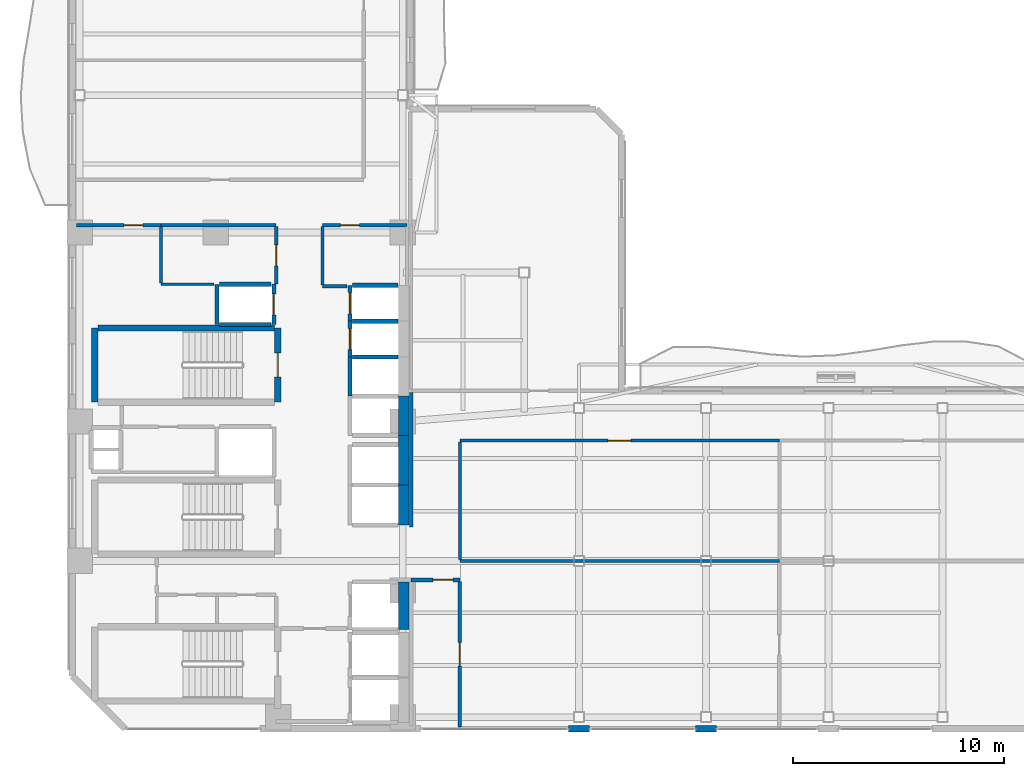
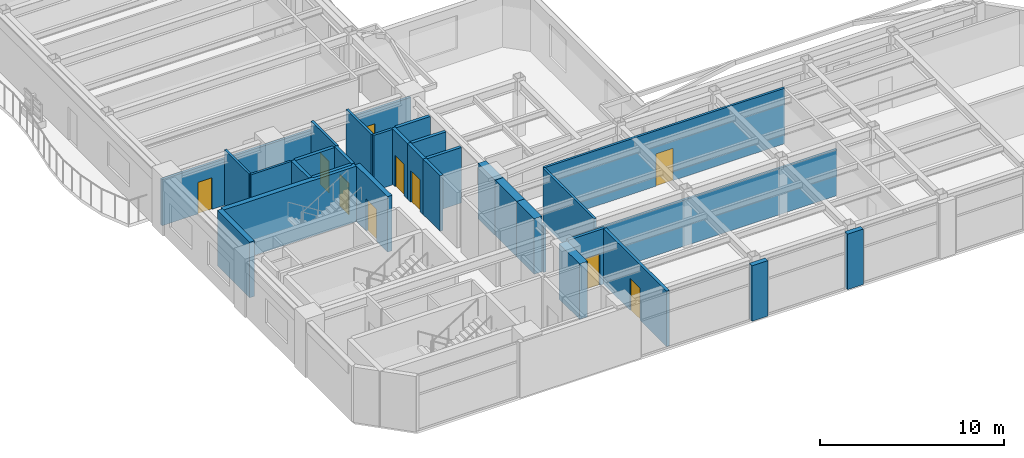
# One storey, part 10 of 15: 33 walls, 10 doors, 10 openings.
"""IFC4 building model written with IfcOpenShell, lengths in metres."""

from ifc_helpers import new_model, si_unit, direction, frame, frame_2d, origin, place, context, subcontext, project, spatial, rectangle, extrude, material, layer, layer_set, type_object, element, fill, save


model = new_model("IFC4")

# Units and contexts
model_context = context("Model", 3, precision=1e-05, world=origin(), true_north=direction((0.0, 1.0)))
body_context = subcontext(model_context, "Body", "Model", "MODEL_VIEW")
ifc_project = project(units=[si_unit("LENGTHUNIT", "METRE"), si_unit("AREAUNIT", "SQUARE_METRE"), si_unit("VOLUMEUNIT", "CUBIC_METRE"), si_unit("PLANEANGLEUNIT", "RADIAN"), si_unit("MASSUNIT", "GRAM", prefix="KILO")], contexts=[model_context])

# Site, building, storey
site_placement = place(None, origin())
site = spatial("IfcSite", under=ifc_project, at=site_placement, CompositionType="ELEMENT")
building_placement = place(site_placement, origin())
building = spatial("IfcBuilding", under=site, at=building_placement, Name="Mawjaban Terraces University", CompositionType="ELEMENT")
storey_placement = place(building_placement, frame((0.0, 0.0, 119.0)))
storey = spatial("IfcBuildingStorey", under=building, at=storey_placement, Name="L28", CompositionType="ELEMENT", Elevation=119.0)

# Wall, opening, door
ifc_material_1 = material(Name="Acoustic masonry blockwork", Category="masonry")
ifc_layer_1 = layer(ifc_material_1, 0.179931640625)
ifc_layer_set_1 = layer_set([ifc_layer_1], Name="Acoustic masonry blockwork")
wall_type_1 = type_object("IfcWallType", Name="AcousticStudioWall_180", PredefinedType="PARTITIONING", material=ifc_layer_set_1)
wall_1_placement = place(storey_placement, frame((38.050048828125, 7.050048828125, 0.0), z_axis=(0.0, 0.0, 1.0), x_axis=(1.0, 0.0, 0.0)))
wall_1 = element("IfcWall", 1, at=wall_1_placement, inside=storey, type_object=wall_type_1, Name="L28 Inner Gallery Link Corridor Partition 16", PredefinedType="PARTITIONING", context=body_context, shape_type="SweptSolid", body=[
    extrude(rectangle(XDim=2.300048828125, YDim=0.179931640625, at=frame_2d((1.14990234375, 0.0))), origin(), (0.0, 0.0, 1.0), 3.68994140625),
])
opening_1_placement = place(wall_1_placement, frame((1.02490234375, 0.0, 0.0)))
opening_1 = element("IfcOpeningElement", 2, at=opening_1_placement, cuts=wall_1, Name="Opening ID-095", PredefinedType="OPENING", context=body_context, shape_type="SweptSolid", body=[
    extrude(rectangle(XDim=0.949951171875, YDim=2.10009765625, at=frame_2d((0.47509765625, 1.050048828125))), frame((0.0, 0.099853515625, 0.0), z_axis=(0.0, -1.0, 0.0), x_axis=(1.0, 0.0, 0.0)), (0.0, 0.0, 1.0), 0.199951171875),
])
ifc_material_2 = material(Name="Powder-coated steel frame and solid acoustic timber leaf", Category="steel")
door_type_1 = type_object("IfcDoorType", Name="StudioDoor_950x2100", OperationType="NOTDEFINED", PredefinedType="DOOR", material=ifc_material_2)
door_1_placement = place(opening_1_placement, origin())
door_1 = element("IfcDoor", 3, at=door_1_placement, inside=storey, type_object=door_type_1, Name="L28 Design Studio 1 Door", OperationType="SINGLE_SWING_LEFT", OverallHeight=2.10009765625, OverallWidth=0.949951171875, PredefinedType="DOOR", context=body_context, shape_type="SweptSolid", body=[
    extrude(rectangle(XDim=0.949951171875, YDim=2.10009765625, at=frame_2d((0.47509765625, 1.050048828125))), frame((0.0, 0.02490234375, 0.0), z_axis=(0.0, -1.0, 0.0), x_axis=(1.0, 0.0, 0.0)), (0.0, 0.0, 1.0), 0.050048828125),
])
fill(opening_1, door_1)

wall_2_placement = place(storey_placement, frame((40.35009765625, 0.090087890625, 0.0), z_axis=(0.0, 0.0, 1.0), x_axis=(0.0, 1.0, 0.0)))
wall_2 = element("IfcWall", 4, at=wall_2_placement, inside=storey, type_object=wall_type_1, Name="L28 Design Studio 1 Partition 41", PredefinedType="PARTITIONING", context=body_context, shape_type="SweptSolid", body=[
    extrude(rectangle(XDim=6.875, YDim=0.179931640625, at=frame_2d((3.4375, 0.0))), origin(), (0.0, 0.0, 1.0), 3.68994140625),
])
opening_2_placement = place(wall_2_placement, frame((2.887939453125, 0.0, 0.0)))
opening_2 = element("IfcOpeningElement", 5, at=opening_2_placement, cuts=wall_2, Name="Opening ID-110", PredefinedType="OPENING", context=body_context, shape_type="SweptSolid", body=[
    extrude(rectangle(XDim=1.10009765625, YDim=2.14990234375, at=frame_2d((0.550048828125, 1.074951171875))), frame((0.0, 0.099853515625, 0.0), z_axis=(0.0, -1.0, 0.0), x_axis=(1.0, 0.0, 0.0)), (0.0, 0.0, 1.0), 0.199951171875),
])
door_type_2 = type_object("IfcDoorType", Name="LabDoor_1100x2150", OperationType="NOTDEFINED", PredefinedType="DOOR", material=ifc_material_2)
door_2_placement = place(opening_2_placement, origin())
door_2 = element("IfcDoor", 6, at=door_2_placement, inside=storey, type_object=door_type_2, Name="L28 Computational Laboratory 2 Door", OperationType="SINGLE_SWING_RIGHT", OverallHeight=2.14990234375, OverallWidth=1.10009765625, PredefinedType="DOOR", context=body_context, shape_type="SweptSolid", body=[
    extrude(rectangle(XDim=1.10009765625, YDim=2.14990234375, at=frame_2d((0.550048828125, 1.074951171875))), frame((0.0, 0.02490234375, 0.0), z_axis=(0.0, -1.0, 0.0), x_axis=(1.0, 0.0, 0.0)), (0.0, 0.0, 1.0), 0.050048828125),
])
fill(opening_2, door_2)

# Walls
ifc_material_3 = material(Name="Concrete C60/75", Category="concrete")
ifc_layer_2 = layer(ifc_material_3, 0.5)
ifc_layer_set_2 = layer_set([ifc_layer_2], Name="Concrete C60/75")
wall_type_2 = type_object("IfcWallType", Name="CoreShearWall_500", PredefinedType="SHEAR", material=ifc_layer_set_2)
wall_3_placement = place(storey_placement, frame((37.699951171875, 4.699951171875, 0.0), z_axis=(0.0, 0.0, 1.0), x_axis=(0.0, 1.0, 0.0)))
element("IfcWall", 7, at=wall_3_placement, inside=storey, type_object=wall_type_2, Name="L28 Lift SL-1 Hoistway Wall East", PredefinedType="SHEAR", context=body_context, shape_type="SweptSolid", body=[
    extrude(rectangle(XDim=2.25, YDim=0.5, at=frame_2d((1.125, 0.0))), origin(), (0.0, 0.0, 1.0), 3.68994140625),
])
wall_4_placement = place(storey_placement, frame((37.699951171875, 9.64990234375, 0.0), z_axis=(0.0, 0.0, 1.0), x_axis=(0.0, 1.0, 0.0)))
element("IfcWall", 8, at=wall_4_placement, inside=storey, type_object=wall_type_2, Name="L28 Lift PL-H1 Hoistway Wall East", PredefinedType="SHEAR", context=body_context, shape_type="SweptSolid", body=[
    extrude(rectangle(XDim=1.900146484375, YDim=0.5, at=frame_2d((0.9501953125, 0.0))), origin(), (0.0, 0.0, 1.0), 3.68994140625),
])
wall_5_placement = place(storey_placement, frame((37.699951171875, 11.550048828125, 0.0), z_axis=(0.0, 0.0, 1.0), x_axis=(0.0, 1.0, 0.0)))
element("IfcWall", 9, at=wall_5_placement, inside=storey, type_object=wall_type_2, Name="L28 Lift PL-H2 Hoistway Wall East", PredefinedType="SHEAR", context=body_context, shape_type="SweptSolid", body=[
    extrude(rectangle(XDim=2.349853515625, YDim=0.5, at=frame_2d((1.1748046875, 0.0))), origin(), (0.0, 0.0, 1.0), 3.68994140625),
])
wall_6_placement = place(storey_placement, frame((37.699951171875, 13.89990234375, 0.0), z_axis=(0.0, 0.0, 1.0), x_axis=(0.0, 1.0, 0.0)))
element("IfcWall", 10, at=wall_6_placement, inside=storey, type_object=wall_type_2, Name="L28 Lift OL-1 Hoistway Wall East", PredefinedType="SHEAR", context=body_context, shape_type="SweptSolid", body=[
    extrude(rectangle(XDim=1.85009765625, YDim=0.5, at=frame_2d((0.925048828125, 0.0))), origin(), (0.0, 0.0, 1.0), 3.68994140625),
])

# Wall, opening, door
ifc_material_4 = material(Name="Fire-rated gypsum board on steel stud", Category="steel")
ifc_layer_3 = layer(ifc_material_4, 0.159912109375)
ifc_layer_set_3 = layer_set([ifc_layer_3], Name="Fire-rated gypsum board on steel stud")
wall_type_3 = type_object("IfcWallType", Name="CorridorPartition_160", PredefinedType="PARTITIONING", material=ifc_layer_set_3)
wall_7_placement = place(storey_placement, frame((26.199951171875, 23.85009765625, 0.0), z_axis=(0.0, 0.0, 1.0), x_axis=(-1.0, 0.0, 0.0)))
wall_7 = element("IfcWall", 11, at=wall_7_placement, inside=storey, type_object=wall_type_3, Name="L28 Female Toilet Partition 5", PredefinedType="PARTITIONING", context=body_context, shape_type="SweptSolid", body=[
    extrude(rectangle(XDim=4.0, YDim=0.159912109375, at=frame_2d((2.0, 0.0))), origin(), (0.0, 0.0, 1.0), 3.073974609375),
])
opening_3_placement = place(wall_7_placement, frame((0.860107421875, 0.0, 0.0)))
opening_3 = element("IfcOpeningElement", 12, at=opening_3_placement, cuts=wall_7, Name="Opening ID-088", PredefinedType="OPENING", context=body_context, shape_type="SweptSolid", body=[
    extrude(rectangle(XDim=0.8798828125, YDim=2.10009765625, at=frame_2d((0.43994140625, 1.050048828125))), frame((0.0, 0.08984375, 0.0), z_axis=(0.0, -1.0, 0.0), x_axis=(1.0, 0.0, 0.0)), (0.0, 0.0, 1.0), 0.179931640625),
])
door_type_3 = type_object("IfcDoorType", Name="ToiletDoor_880x2100", OperationType="NOTDEFINED", PredefinedType="DOOR", material=ifc_material_2)
door_3_placement = place(opening_3_placement, origin())
door_3 = element("IfcDoor", 13, at=door_3_placement, inside=storey, type_object=door_type_3, Name="L28 Female Toilet Door", OperationType="SINGLE_SWING_RIGHT", OverallHeight=2.10009765625, OverallWidth=0.8798828125, PredefinedType="DOOR", context=body_context, shape_type="SweptSolid", body=[
    extrude(rectangle(XDim=0.8798828125, YDim=2.10009765625, at=frame_2d((0.43994140625, 1.050048828125))), frame((0.0, 0.02490234375, 0.0), z_axis=(0.0, -1.0, 0.0), x_axis=(1.0, 0.0, 0.0)), (0.0, 0.0, 1.0), 0.050048828125),
])
fill(opening_3, door_3)

# Walls
wall_8_placement = place(storey_placement, frame((31.64990234375, 23.85009765625, 0.0), z_axis=(0.0, 0.0, 1.0), x_axis=(-1.0, 0.0, 0.0)))
element("IfcWall", 14, at=wall_8_placement, inside=storey, type_object=wall_type_3, Name="L28 Academic Tutorial Alcove Partition 8", PredefinedType="PARTITIONING", context=body_context, shape_type="SweptSolid", body=[
    extrude(rectangle(XDim=5.449951171875, YDim=0.159912109375, at=frame_2d((2.72509765625, 0.0))), origin(), (0.0, 0.0, 1.0), 3.073974609375),
])
wall_9_placement = place(storey_placement, frame((35.02001953125, 20.949951171875, 0.0), z_axis=(0.0, 0.0, 1.0), x_axis=(-1.0, 0.0, 0.0)))
element("IfcWall", 15, at=wall_9_placement, inside=storey, type_object=wall_type_3, Name="L28 Passenger Lift Lobby Partition 10", PredefinedType="PARTITIONING", context=body_context, shape_type="SweptSolid", body=[
    extrude(rectangle(XDim=1.169921875, YDim=0.159912109375, at=frame_2d((0.5849609375, 0.0))), origin(), (0.0, 0.0, 1.0), 3.68994140625),
])

# Wall, opening, door
wall_10_placement = place(storey_placement, frame((37.85009765625, 23.85009765625, 0.0), z_axis=(0.0, 0.0, 1.0), x_axis=(-1.0, 0.0, 0.0)))
wall_10 = element("IfcWall", 16, at=wall_10_placement, inside=storey, type_object=wall_type_3, Name="L28 Departmental Resource Seminar Room Partition 15", PredefinedType="PARTITIONING", context=body_context, shape_type="SweptSolid", body=[
    extrude(rectangle(XDim=4.0, YDim=0.159912109375, at=frame_2d((2.0, 0.0))), origin(), (0.0, 0.0, 1.0), 3.073974609375),
])
opening_4_placement = place(wall_10_placement, frame((2.25, 0.0, 0.0)))
opening_4 = element("IfcOpeningElement", 17, at=opening_4_placement, cuts=wall_10, Name="Opening ID-090", PredefinedType="OPENING", context=body_context, shape_type="SweptSolid", body=[
    extrude(rectangle(XDim=0.89990234375, YDim=2.10009765625, at=frame_2d((0.449951171875, 1.050048828125))), frame((0.0, 0.08984375, 0.0), z_axis=(0.0, -1.0, 0.0), x_axis=(1.0, 0.0, 0.0)), (0.0, 0.0, 1.0), 0.179931640625),
])
door_type_4 = type_object("IfcDoorType", Name="OfficeDoor_900x2100", OperationType="NOTDEFINED", PredefinedType="DOOR", material=ifc_material_2)
door_4_placement = place(opening_4_placement, origin())
door_4 = element("IfcDoor", 18, at=door_4_placement, inside=storey, type_object=door_type_4, Name="L28 Departmental Resource Seminar Room Door", OperationType="SINGLE_SWING_RIGHT", OverallHeight=2.10009765625, OverallWidth=0.89990234375, PredefinedType="DOOR", context=body_context, shape_type="SweptSolid", body=[
    extrude(rectangle(XDim=0.89990234375, YDim=2.10009765625, at=frame_2d((0.449951171875, 1.050048828125))), frame((0.0, 0.02490234375, 0.0), z_axis=(0.0, -1.0, 0.0), x_axis=(1.0, 0.0, 0.0)), (0.0, 0.0, 1.0), 0.050048828125),
])
fill(opening_4, door_4)

wall_11_placement = place(storey_placement, frame((31.64990234375, 23.77490234375, 0.0), z_axis=(0.0, 0.0, 1.0), x_axis=(0.0, -1.0, 0.0)))
wall_11 = element("IfcWall", 19, at=wall_11_placement, inside=storey, type_object=wall_type_3, Name="L28 Core North Lift Lobby Partition 29", PredefinedType="PARTITIONING", context=body_context, shape_type="SweptSolid", body=[
    extrude(rectangle(XDim=2.724853515625, YDim=0.159912109375, at=frame_2d((1.3623046875, 0.0))), origin(), (0.0, 0.0, 1.0), 3.68994140625),
])
opening_5_placement = place(wall_11_placement, frame((0.862060546875, 0.0, 0.0)))
opening_5 = element("IfcOpeningElement", 20, at=opening_5_placement, cuts=wall_11, Name="Opening ID-100", PredefinedType="OPENING", context=body_context, shape_type="SweptSolid", body=[
    extrude(rectangle(XDim=1.0, YDim=2.10009765625, at=frame_2d((0.5, 1.050048828125))), frame((0.0, 0.08984375, 0.0), z_axis=(0.0, -1.0, 0.0), x_axis=(1.0, 0.0, 0.0)), (0.0, 0.0, 1.0), 0.179931640625),
])
door_type_5 = type_object("IfcDoorType", Name="ClassroomDoor_1000x2100", OperationType="NOTDEFINED", PredefinedType="DOOR", material=ifc_material_2)
door_5_placement = place(opening_5_placement, origin())
door_5 = element("IfcDoor", 21, at=door_5_placement, inside=storey, type_object=door_type_5, Name="L28 Academic Tutorial Alcove Door", OperationType="SINGLE_SWING_LEFT", OverallHeight=2.10009765625, OverallWidth=1.0, PredefinedType="DOOR", context=body_context, shape_type="SweptSolid", body=[
    extrude(rectangle(XDim=1.0, YDim=2.10009765625, at=frame_2d((0.5, 1.050048828125))), frame((0.0, 0.02490234375, 0.0), z_axis=(0.0, -1.0, 0.0), x_axis=(1.0, 0.0, 0.0)), (0.0, 0.0, 1.0), 0.050048828125),
])
fill(opening_5, door_5)

# Walls
wall_12_placement = place(storey_placement, frame((33.85009765625, 21.02490234375, 0.0), z_axis=(0.0, 0.0, 1.0), x_axis=(0.0, 1.0, 0.0)))
element("IfcWall", 22, at=wall_12_placement, inside=storey, type_object=wall_type_3, Name="L28 Core North Lift Lobby Partition 30", PredefinedType="PARTITIONING", context=body_context, shape_type="SweptSolid", body=[
    extrude(rectangle(XDim=2.75, YDim=0.159912109375, at=frame_2d((1.375, 0.0))), origin(), (0.0, 0.0, 1.0), 3.68994140625),
])
wall_13_placement = place(storey_placement, frame((38.050048828125, 15.925048828125, 0.0), z_axis=(0.0, 0.0, 1.0), x_axis=(0.0, -1.0, 0.0)))
element("IfcWall", 23, at=wall_13_placement, inside=storey, type_object=wall_type_3, Name="L28 Inner Gallery Link Corridor Partition 39", PredefinedType="PARTITIONING", context=body_context, shape_type="SweptSolid", body=[
    extrude(rectangle(XDim=6.375, YDim=0.159912109375, at=frame_2d((3.1875, 0.0))), origin(), (0.0, 0.0, 1.0), 3.073974609375),
])
ifc_material_5 = material(Name="Insulated terracotta rainscreen on concrete backup C40/50", Category="masonry")
ifc_layer_4 = layer(ifc_material_5, 0.300048828125)
ifc_layer_set_4 = layer_set([ifc_layer_4], Name="Insulated terracotta rainscreen on concrete backup C40/50")
wall_type_4 = type_object("IfcWallType", Name="ExtTerracottaWall_300", PredefinedType="SOLIDWALL", material=ifc_layer_set_4)
for number, where, z_axis, x_axis, name in (
    (24, (45.5, 0.0, 0.0), (0.0, 0.0, 1.0), (1.0, 0.0, 0.0), "L28 Exterior Terracotta Pier Wall 1.2"),
    (25, (51.5, 0.0, 0.0), (0.0, 0.0, 1.0), (1.0, 0.0, 0.0), "L28 Exterior Terracotta Pier Wall 1.3"),
):
    element("IfcWall", number, at=place(storey_placement, frame(where, z_axis=z_axis, x_axis=x_axis)), inside=storey, type_object=wall_type_4, Name=name, PredefinedType="SOLIDWALL", context=body_context, shape_type="SweptSolid", body=[
        extrude(rectangle(XDim=1.0, YDim=0.300048828125, at=frame_2d((0.5, 0.0))), origin(), (0.0, 0.0, 1.0), 3.68994140625),
    ])
ifc_material_6 = material(Name="Concrete C40/50", Category="concrete")
ifc_layer_5 = layer(ifc_material_6, 0.199951171875)
ifc_layer_set_5 = layer_set([ifc_layer_5], Name="Concrete C40/50")
wall_type_5 = type_object("IfcWallType", Name="FireLobbyWall_200", PredefinedType="SOLIDWALL", material=ifc_layer_set_5)
wall_14_placement = place(storey_placement, frame((35.14990234375, 17.60009765625, 0.0), z_axis=(0.0, 0.0, 1.0), x_axis=(0.0, -1.0, 0.0)))
element("IfcWall", 26, at=wall_14_placement, inside=storey, type_object=wall_type_5, Name="L28 Lift OL-2 Hoistway Wall West", PredefinedType="SOLIDWALL", context=body_context, shape_type="SweptSolid", body=[
    extrude(rectangle(XDim=1.85009765625, YDim=0.199951171875, at=frame_2d((0.925048828125, 0.0))), origin(), (0.0, 0.0, 1.0), 3.68994140625),
])
wall_15_placement = place(storey_placement, frame((37.419921875, 17.60009765625, 0.0), z_axis=(0.0, 0.0, 1.0), x_axis=(-1.0, 0.0, 0.0)))
element("IfcWall", 27, at=wall_15_placement, inside=storey, type_object=wall_type_5, Name="L28 Lift OL-2 Hoistway Wall North", PredefinedType="SOLIDWALL", context=body_context, shape_type="SweptSolid", body=[
    extrude(rectangle(XDim=2.139892578125, YDim=0.199951171875, at=frame_2d((1.06982421875, 0.0))), origin(), (0.0, 0.0, 1.0), 3.68994140625),
])

# Wall, opening, door
wall_16_placement = place(storey_placement, frame((35.14990234375, 19.300048828125, 0.0), z_axis=(0.0, 0.0, 1.0), x_axis=(0.0, -1.0, 0.0)))
wall_16 = element("IfcWall", 28, at=wall_16_placement, inside=storey, type_object=wall_type_5, Name="L28 Lift PL-M1 Hoistway Wall West", PredefinedType="SOLIDWALL", context=body_context, shape_type="SweptSolid", body=[
    extrude(rectangle(XDim=1.699951171875, YDim=0.199951171875, at=frame_2d((0.85009765625, 0.0))), origin(), (0.0, 0.0, 1.0), 3.68994140625),
])
opening_6_placement = place(wall_16_placement, frame((0.35009765625, 0.0, 0.0)))
opening_6 = element("IfcOpeningElement", 29, at=opening_6_placement, cuts=wall_16, Name="Opening LD-PL-M1", PredefinedType="OPENING", context=body_context, shape_type="SweptSolid", body=[
    extrude(rectangle(XDim=1.0, YDim=2.10009765625, at=frame_2d((0.5, 1.050048828125))), frame((0.0, 0.10986328125, 0.0), z_axis=(0.0, -1.0, 0.0), x_axis=(1.0, 0.0, 0.0)), (0.0, 0.0, 1.0), 0.219970703125),
])
ifc_material_7 = material(Name="Powder-coated steel frame and fire-rated steel-faced leaf", Category="steel")
door_type_6 = type_object("IfcDoorType", Name="LiftLandingSliding_1000x2100", OperationType="NOTDEFINED", PredefinedType="DOOR", material=ifc_material_7)
door_6_placement = place(opening_6_placement, origin())
door_6 = element("IfcDoor", 30, at=door_6_placement, inside=storey, type_object=door_type_6, Name="L28 Lift PL-M1 Sliding Landing Door", OperationType="DOUBLE_DOOR_SLIDING", OverallHeight=2.10009765625, OverallWidth=1.0, PredefinedType="DOOR", context=body_context, shape_type="SweptSolid", body=[
    extrude(rectangle(XDim=1.0, YDim=2.10009765625, at=frame_2d((0.5, 1.050048828125))), frame((0.0, 0.02490234375, 0.0), z_axis=(0.0, -1.0, 0.0), x_axis=(1.0, 0.0, 0.0)), (0.0, 0.0, 1.0), 0.050048828125),
])
fill(opening_6, door_6)

# Wall
wall_17_placement = place(storey_placement, frame((37.419921875, 19.300048828125, 0.0), z_axis=(0.0, 0.0, 1.0), x_axis=(-1.0, 0.0, 0.0)))
element("IfcWall", 31, at=wall_17_placement, inside=storey, type_object=wall_type_5, Name="L28 Lift PL-M1 Hoistway Wall North", PredefinedType="SOLIDWALL", context=body_context, shape_type="SweptSolid", body=[
    extrude(rectangle(XDim=2.139892578125, YDim=0.199951171875, at=frame_2d((1.06982421875, 0.0))), origin(), (0.0, 0.0, 1.0), 3.68994140625),
])

# Wall, opening, door
wall_18_placement = place(storey_placement, frame((35.14990234375, 21.0, 0.0), z_axis=(0.0, 0.0, 1.0), x_axis=(0.0, -1.0, 0.0)))
wall_18 = element("IfcWall", 32, at=wall_18_placement, inside=storey, type_object=wall_type_5, Name="L28 Lift PL-M2 Hoistway Wall West", PredefinedType="SOLIDWALL", context=body_context, shape_type="SweptSolid", body=[
    extrude(rectangle(XDim=1.699951171875, YDim=0.199951171875, at=frame_2d((0.85009765625, 0.0))), origin(), (0.0, 0.0, 1.0), 3.68994140625),
])
opening_7_placement = place(wall_18_placement, frame((0.35009765625, 0.0, 0.0)))
opening_7 = element("IfcOpeningElement", 33, at=opening_7_placement, cuts=wall_18, Name="Opening LD-PL-M2", PredefinedType="OPENING", context=body_context, shape_type="SweptSolid", body=[
    extrude(rectangle(XDim=1.0, YDim=2.10009765625, at=frame_2d((0.5, 1.050048828125))), frame((0.0, 0.10986328125, 0.0), z_axis=(0.0, -1.0, 0.0), x_axis=(1.0, 0.0, 0.0)), (0.0, 0.0, 1.0), 0.219970703125),
])
door_7_placement = place(opening_7_placement, origin())
door_7 = element("IfcDoor", 34, at=door_7_placement, inside=storey, type_object=door_type_6, Name="L28 Lift PL-M2 Sliding Landing Door", OperationType="DOUBLE_DOOR_SLIDING", OverallHeight=2.10009765625, OverallWidth=1.0, PredefinedType="DOOR", context=body_context, shape_type="SweptSolid", body=[
    extrude(rectangle(XDim=1.0, YDim=2.10009765625, at=frame_2d((0.5, 1.050048828125))), frame((0.0, 0.02490234375, 0.0), z_axis=(0.0, -1.0, 0.0), x_axis=(1.0, 0.0, 0.0)), (0.0, 0.0, 1.0), 0.050048828125),
])
fill(opening_7, door_7)

# Walls
wall_19_placement = place(storey_placement, frame((37.419921875, 21.0, 0.0), z_axis=(0.0, 0.0, 1.0), x_axis=(-1.0, 0.0, 0.0)))
element("IfcWall", 35, at=wall_19_placement, inside=storey, type_object=wall_type_5, Name="L28 Lift PL-M2 Hoistway Wall North", PredefinedType="SOLIDWALL", context=body_context, shape_type="SweptSolid", body=[
    extrude(rectangle(XDim=2.139892578125, YDim=0.199951171875, at=frame_2d((1.06982421875, 0.0))), origin(), (0.0, 0.0, 1.0), 3.68994140625),
])
wall_20_placement = place(storey_placement, frame((28.85009765625, 21.050048828125, 0.0), z_axis=(0.0, 0.0, 1.0), x_axis=(0.0, -1.0, 0.0)))
element("IfcWall", 36, at=wall_20_placement, inside=storey, type_object=wall_type_5, Name="L28 Lift PL-M3 Hoistway Wall West", PredefinedType="SOLIDWALL", context=body_context, shape_type="SweptSolid", body=[
    extrude(rectangle(XDim=1.900146484375, YDim=0.199951171875, at=frame_2d((0.9501953125, 0.0))), origin(), (0.0, 0.0, 1.0), 3.68994140625),
])

# Wall, opening, door
wall_21_placement = place(storey_placement, frame((31.550048828125, 19.14990234375, 0.0), z_axis=(0.0, 0.0, 1.0), x_axis=(0.0, 1.0, 0.0)))
wall_21 = element("IfcWall", 37, at=wall_21_placement, inside=storey, type_object=wall_type_5, Name="L28 Lift PL-M3 Hoistway Wall East", PredefinedType="SOLIDWALL", context=body_context, shape_type="SweptSolid", body=[
    extrude(rectangle(XDim=1.900146484375, YDim=0.199951171875, at=frame_2d((0.9501953125, 0.0))), origin(), (0.0, 0.0, 1.0), 3.68994140625),
])
opening_8_placement = place(wall_21_placement, frame((0.449951171875, 0.0, 0.0)))
opening_8 = element("IfcOpeningElement", 38, at=opening_8_placement, cuts=wall_21, Name="Opening LD-PL-M3", PredefinedType="OPENING", context=body_context, shape_type="SweptSolid", body=[
    extrude(rectangle(XDim=1.0, YDim=2.10009765625, at=frame_2d((0.5, 1.050048828125))), frame((0.0, 0.10986328125, 0.0), z_axis=(0.0, -1.0, 0.0), x_axis=(1.0, 0.0, 0.0)), (0.0, 0.0, 1.0), 0.219970703125),
])
door_8_placement = place(opening_8_placement, origin())
door_8 = element("IfcDoor", 39, at=door_8_placement, inside=storey, type_object=door_type_6, Name="L28 Lift PL-M3 Sliding Landing Door", OperationType="DOUBLE_DOOR_SLIDING", OverallHeight=2.10009765625, OverallWidth=1.0, PredefinedType="DOOR", context=body_context, shape_type="SweptSolid", body=[
    extrude(rectangle(XDim=1.0, YDim=2.10009765625, at=frame_2d((0.5, 1.050048828125))), frame((0.0, 0.02490234375, 0.0), z_axis=(0.0, -1.0, 0.0), x_axis=(1.0, 0.0, 0.0)), (0.0, 0.0, 1.0), 0.050048828125),
])
fill(opening_8, door_8)

# Walls
for number, where, z_axis, x_axis, name in (
    (40, (28.97998046875, 19.14990234375, 0.0), (0.0, 0.0, 1.0), (1.0, 0.0, 0.0), "L28 Lift PL-M3 Hoistway Wall South"),
    (41, (31.419921875, 21.050048828125, 0.0), (0.0, 0.0, 1.0), (-1.0, 0.0, 0.0), "L28 Lift PL-M3 Hoistway Wall North"),
):
    element("IfcWall", number, at=place(storey_placement, frame(where, z_axis=z_axis, x_axis=x_axis)), inside=storey, type_object=wall_type_5, Name=name, PredefinedType="SOLIDWALL", context=body_context, shape_type="SweptSolid", body=[
        extrude(rectangle(XDim=2.43994140625, YDim=0.199951171875, at=frame_2d((1.219970703125, 0.0))), origin(), (0.0, 0.0, 1.0), 3.68994140625),
    ])

# Wall, opening, door
ifc_material_8 = material(Name="Moisture-resistant gypsum board on steel stud", Category="steel")
ifc_layer_6 = layer(ifc_material_8, 0.14501953125)
ifc_layer_set_6 = layer_set([ifc_layer_6], Name="Moisture-resistant gypsum board on steel stud")
wall_type_6 = type_object("IfcWallType", Name="LabPartition_145", PredefinedType="PARTITIONING", material=ifc_layer_set_6)
wall_22_placement = place(storey_placement, frame((40.35009765625, 13.64990234375, 0.0), z_axis=(0.0, 0.0, 1.0), x_axis=(1.0, 0.0, 0.0)))
wall_22 = element("IfcWall", 42, at=wall_22_placement, inside=storey, type_object=wall_type_6, Name="L28 Inner Terrace Gallery Corridor East Partition 17", PredefinedType="PARTITIONING", context=body_context, shape_type="SweptSolid", body=[
    extrude(rectangle(XDim=15.1298828125, YDim=0.14501953125, at=frame_2d((7.56494140625, 0.0))), origin(), (0.0, 0.0, 1.0), 3.68994140625),
])
opening_9_placement = place(wall_22_placement, frame((7.014892578125, 0.0, 0.0)))
opening_9 = element("IfcOpeningElement", 43, at=opening_9_placement, cuts=wall_22, Name="Opening ID-110", PredefinedType="OPENING", context=body_context, shape_type="SweptSolid", body=[
    extrude(rectangle(XDim=1.10009765625, YDim=2.14990234375, at=frame_2d((0.550048828125, 1.074951171875))), frame((0.0, 0.08251953125, 0.0), z_axis=(0.0, -1.0, 0.0), x_axis=(1.0, 0.0, 0.0)), (0.0, 0.0, 1.0), 0.1650390625),
])
door_9_placement = place(opening_9_placement, origin())
door_9 = element("IfcDoor", 44, at=door_9_placement, inside=storey, type_object=door_type_2, Name="L28 Teaching Laboratory 3 Door", OperationType="SINGLE_SWING_LEFT", OverallHeight=2.14990234375, OverallWidth=1.10009765625, PredefinedType="DOOR", context=body_context, shape_type="SweptSolid", body=[
    extrude(rectangle(XDim=1.10009765625, YDim=2.14990234375, at=frame_2d((0.550048828125, 1.074951171875))), frame((0.0, 0.02490234375, 0.0), z_axis=(0.0, -1.0, 0.0), x_axis=(1.0, 0.0, 0.0)), (0.0, 0.0, 1.0), 0.050048828125),
])
fill(opening_9, door_9)

# Walls
wall_23_placement = place(storey_placement, frame((55.47998046875, 7.949951171875, 0.0), z_axis=(0.0, 0.0, 1.0), x_axis=(-1.0, 0.0, 0.0)))
element("IfcWall", 45, at=wall_23_placement, inside=storey, type_object=wall_type_6, Name="L28 Computational Laboratory 2 Partition 20", PredefinedType="PARTITIONING", context=body_context, shape_type="SweptSolid", body=[
    extrude(rectangle(XDim=15.1298828125, YDim=0.14501953125, at=frame_2d((7.56494140625, 0.0))), origin(), (0.0, 0.0, 1.0), 3.073974609375),
])
wall_24_placement = place(storey_placement, frame((40.35009765625, 8.01806640625, 0.0), z_axis=(0.0, 0.0, 1.0), x_axis=(0.0, 1.0, 0.0)))
element("IfcWall", 46, at=wall_24_placement, inside=storey, type_object=wall_type_6, Name="L28 Inner Gallery Link Corridor Partition 42", PredefinedType="PARTITIONING", context=body_context, shape_type="SweptSolid", body=[
    extrude(rectangle(XDim=5.56396484375, YDim=0.14501953125, at=frame_2d((2.781982421875, 0.0))), origin(), (0.0, 0.0, 1.0), 3.68994140625),
])
ifc_layer_7 = layer(ifc_material_3, 0.300048828125)
ifc_layer_set_7 = layer_set([ifc_layer_7], Name="Concrete C60/75")
wall_type_7 = type_object("IfcWallType", Name="StairShaftWall_300", PredefinedType="SHEAR", material=ifc_layer_set_7)
wall_25_placement = place(storey_placement, frame((31.580078125, 18.97998046875, 0.0), z_axis=(0.0, 0.0, 1.0), x_axis=(-1.0, 0.0, 0.0)))
element("IfcWall", 47, at=wall_25_placement, inside=storey, type_object=wall_type_7, Name="L28 ST-2 Stair Shaft Wall 1", PredefinedType="SHEAR", context=body_context, shape_type="SweptSolid", body=[
    extrude(rectangle(XDim=8.360107421875, YDim=0.300048828125, at=frame_2d((4.18017578125, 0.0))), origin(), (0.0, 0.0, 1.0), 3.68994140625),
])
wall_26_placement = place(storey_placement, frame((23.070068359375, 18.97998046875, 0.0), z_axis=(0.0, 0.0, 1.0), x_axis=(0.0, -1.0, 0.0)))
element("IfcWall", 48, at=wall_26_placement, inside=storey, type_object=wall_type_7, Name="L28 ST-2 Stair Shaft Wall 2", PredefinedType="SHEAR", context=body_context, shape_type="SweptSolid", body=[
    extrude(rectangle(XDim=3.510009765625, YDim=0.300048828125, at=frame_2d((1.7548828125, 0.0))), origin(), (0.0, 0.0, 1.0), 3.68994140625),
])

# Wall, opening, door
wall_27_placement = place(storey_placement, frame((31.72998046875, 15.469970703125, 0.0), z_axis=(0.0, 0.0, 1.0), x_axis=(0.0, 1.0, 0.0)))
wall_27 = element("IfcWall", 49, at=wall_27_placement, inside=storey, type_object=wall_type_7, Name="L28 ST-2 Stair Shaft Wall 4", PredefinedType="SHEAR", context=body_context, shape_type="SweptSolid", body=[
    extrude(rectangle(XDim=3.510009765625, YDim=0.300048828125, at=frame_2d((1.7548828125, 0.0))), origin(), (0.0, 0.0, 1.0), 3.68994140625),
])
opening_10_placement = place(wall_27_placement, frame((1.179931640625, 0.0, 0.0)))
opening_10 = element("IfcOpeningElement", 50, at=opening_10_placement, cuts=wall_27, Name="Opening FD-115", PredefinedType="OPENING", context=body_context, shape_type="SweptSolid", body=[
    extrude(rectangle(XDim=1.14990234375, YDim=2.14990234375, at=frame_2d((0.574951171875, 1.074951171875))), frame((0.0, 0.159912109375, 0.0), z_axis=(0.0, -1.0, 0.0), x_axis=(1.0, 0.0, 0.0)), (0.0, 0.0, 1.0), 0.320068359375),
])
door_type_7 = type_object("IfcDoorType", Name="FireStairDoor_1150x2150", OperationType="NOTDEFINED", PredefinedType="DOOR", material=ifc_material_7)
door_10_placement = place(opening_10_placement, origin())
door_10 = element("IfcDoor", 51, at=door_10_placement, inside=storey, type_object=door_type_7, Name="L28 ST-2 Pressurised Stair Fire Door", OperationType="SINGLE_SWING_LEFT", OverallHeight=2.14990234375, OverallWidth=1.14990234375, PredefinedType="DOOR", context=body_context, shape_type="SweptSolid", body=[
    extrude(rectangle(XDim=1.14990234375, YDim=2.14990234375, at=frame_2d((0.574951171875, 1.074951171875))), frame((0.0, 0.02490234375, 0.0), z_axis=(0.0, -1.0, 0.0), x_axis=(1.0, 0.0, 0.0)), (0.0, 0.0, 1.0), 0.050048828125),
])
fill(opening_10, door_10)

# Walls
ifc_material_9 = material(Name="Cement-board wet-room partition", Category="masonry")
ifc_layer_8 = layer(ifc_material_9, 0.135009765625)
ifc_layer_set_8 = layer_set([ifc_layer_8], Name="Cement-board wet-room partition")
wall_type_8 = type_object("IfcWallType", Name="WetRoomPartition_135", PredefinedType="PARTITIONING", material=ifc_layer_set_8)
wall_28_placement = place(storey_placement, frame((26.199951171875, 21.050048828125, 0.0), z_axis=(0.0, 0.0, 1.0), x_axis=(1.0, 0.0, 0.0)))
element("IfcWall", 52, at=wall_28_placement, inside=storey, type_object=wall_type_8, Name="L28 Academic Tutorial Alcove Partition 4", PredefinedType="PARTITIONING", context=body_context, shape_type="SweptSolid", body=[
    extrude(rectangle(XDim=2.52001953125, YDim=0.135009765625, at=frame_2d((1.260009765625, 0.0))), origin(), (0.0, 0.0, 1.0), 3.68994140625),
])
wall_29_placement = place(storey_placement, frame((26.199951171875, 23.77490234375, 0.0), z_axis=(0.0, 0.0, 1.0), x_axis=(0.0, -1.0, 0.0)))
element("IfcWall", 53, at=wall_29_placement, inside=storey, type_object=wall_type_8, Name="L28 Academic Tutorial Alcove Partition 26", PredefinedType="PARTITIONING", context=body_context, shape_type="SweptSolid", body=[
    extrude(rectangle(XDim=2.661865234375, YDim=0.135009765625, at=frame_2d((1.3310546875, 0.0))), origin(), (0.0, 0.0, 1.0), 3.68994140625),
])

save(model, "model.ifc")
